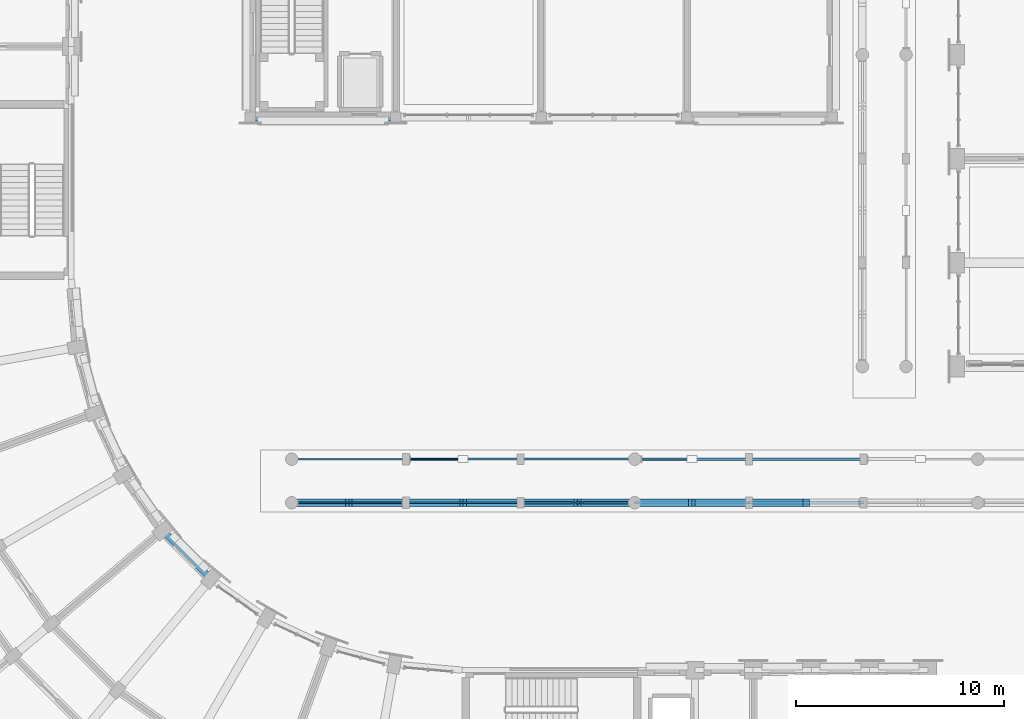
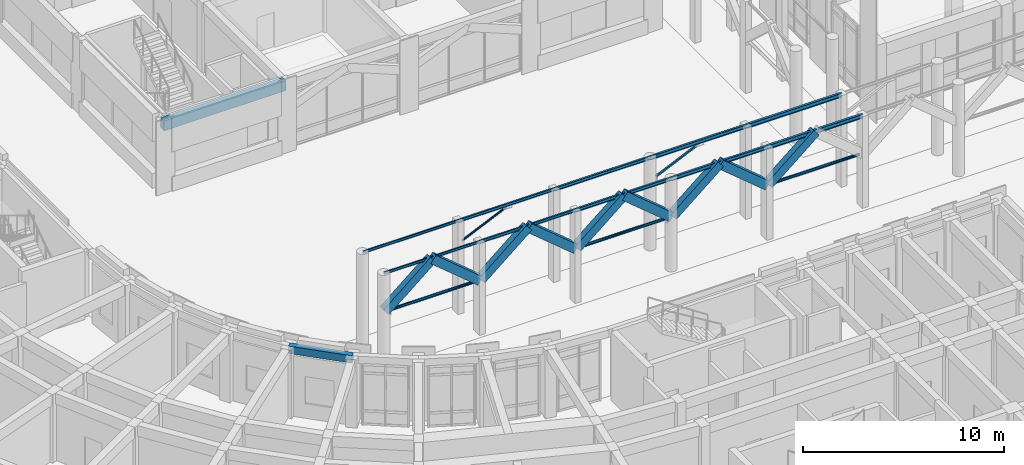
# One storey, part 22 of 135: 21 beams, 5 members.
"""IFC4 building model written with IfcOpenShell, lengths in metres."""

from ifc_helpers import new_model, si_unit, direction, frame, origin, origin_2d, place, context, subcontext, project, spatial, rectangle, hollow_rectangle, hollow_circle, i_section, extrude, material, material_profile, profile_set, type_object, element, save


model = new_model("IFC4")

# Units and contexts
model_context = context("Model", 3, precision=1e-05, world=origin(), true_north=direction((0.0, 1.0)))
body_context = subcontext(model_context, "Body", "Model", "MODEL_VIEW")
ifc_project = project(units=[si_unit("LENGTHUNIT", "METRE"), si_unit("AREAUNIT", "SQUARE_METRE"), si_unit("VOLUMEUNIT", "CUBIC_METRE"), si_unit("PLANEANGLEUNIT", "RADIAN"), si_unit("MASSUNIT", "GRAM", prefix="KILO")], contexts=[model_context])

# Site, building, storey
site_placement = place(None, origin())
site = spatial("IfcSite", under=ifc_project, at=site_placement, CompositionType="ELEMENT")
building_placement = place(site_placement, origin())
building = spatial("IfcBuilding", under=site, at=building_placement, Name="Kiranvali Square Residences", CompositionType="ELEMENT")
storey_placement = place(building_placement, origin())
storey = spatial("IfcBuildingStorey", under=building, at=storey_placement, Name="L00", CompositionType="ELEMENT", Elevation=0.0)

# Beams
ifc_material_1 = material(Name="Concrete M40 (40 MPa)", Category="concrete")
ifc_material_profile_1 = material_profile(ifc_material_1, rectangle(XDim=0.35009765625, YDim=0.5, at=origin_2d()), Name="RC 350x500")
ifc_profile_set_1 = profile_set([ifc_material_profile_1], Name="Concrete M40 (40 MPa)")
beam_type_1 = type_object("IfcBeamType", Name="AR-M40-350x500", PredefinedType="USERDEFINED", material=ifc_profile_set_1)
for number, where, z_axis, x_axis, name in (
    (1, (40.0400390625, 37.449951171875, 3.199951171875), (0.767983039395, 0.0, 0.640470179791), (0.0, 1.0, 0.0), "Classical pointed Ottoman arch rib ARCH-ARC-GDN-S-01.1"),
    (2, (42.75, 37.449951171875, 5.4599609375), (0.767983039395, 0.0, -0.640470179791), (0.0, 1.0, 0.0), "Classical pointed Ottoman arch rib ARCH-ARC-GDN-S-01.2"),
    (3, (45.5400390625, 37.449951171875, 3.199951171875), (0.767983039395, 0.0, 0.640470179791), (0.0, 1.0, 0.0), "Classical pointed Ottoman arch rib ARCH-ARC-GDN-S-02.1"),
    (4, (48.25, 37.449951171875, 5.4599609375), (0.767983039395, 0.0, -0.640470179791), (0.0, 1.0, 0.0), "Classical pointed Ottoman arch rib ARCH-ARC-GDN-S-02.2"),
    (5, (51.0400390625, 37.449951171875, 3.199951171875), (0.767983039395, 0.0, 0.640470179791), (0.0, 1.0, 0.0), "Classical pointed Ottoman arch rib ARCH-ARC-GDN-S-03.1"),
    (6, (53.75, 37.449951171875, 5.4599609375), (0.767983039395, 0.0, -0.640470179791), (0.0, 1.0, 0.0), "Classical pointed Ottoman arch rib ARCH-ARC-GDN-S-03.2"),
    (7, (56.5400390625, 37.449951171875, 3.199951171875), (0.767983039395, 0.0, 0.640470179791), (0.0, 1.0, 0.0), "Classical pointed Ottoman arch rib ARCH-ARC-GDN-S-04.1"),
    (8, (59.25, 37.449951171875, 5.4599609375), (0.767983039395, 0.0, -0.640470179791), (0.0, 1.0, 0.0), "Classical pointed Ottoman arch rib ARCH-ARC-GDN-S-04.2"),
    (9, (62.0400390625, 37.449951171875, 3.199951171875), (0.767983039395, 0.0, 0.640470179791), (0.0, 1.0, 0.0), "Classical pointed Ottoman arch rib ARCH-ARC-GDN-S-05.1"),
):
    element("IfcBeam", number, at=place(storey_placement, frame(where, z_axis=z_axis, x_axis=x_axis)), inside=storey, type_object=beam_type_1, Name=name, ObjectType="ARCH RIB", PredefinedType="USERDEFINED", context=body_context, shape_type="SweptSolid", body=[
        extrude(rectangle(XDim=0.35009765625, YDim=0.5, at=origin_2d()), origin(), (0.0, 0.0, 1.0), 3.528564453125),
    ])
ifc_material_profile_2 = material_profile(ifc_material_1, rectangle(XDim=0.35009765625, YDim=0.60009765625, at=origin_2d()), Name="RC 350x600")
ifc_profile_set_2 = profile_set([ifc_material_profile_2], Name="Concrete M40 (40 MPa)")
beam_type_2 = type_object("IfcBeamType", Name="BM-M40-350x600", PredefinedType="BEAM", material=ifc_profile_set_2)
beam_1_placement = place(storey_placement, frame((38.0, 56.0, 3.97998046875), z_axis=(1.0, 0.0, 0.0), x_axis=(0.0, 1.0, 0.0)))
element("IfcBeam", 10, at=beam_1_placement, inside=storey, type_object=beam_type_2, Name="L00 beam BM-NR-L00-X0-0", PredefinedType="BEAM", context=body_context, shape_type="SweptSolid", body=[
    extrude(rectangle(XDim=0.35009765625, YDim=0.60009765625, at=origin_2d()), origin(), (0.0, 0.0, 1.0), 7.0),
])

# Members
ifc_material_2 = material(Name="Structural steel E350", Category="steel")
ifc_material_profile_3 = material_profile(ifc_material_2, hollow_circle(Radius=0.05712890625, WallThickness=0.00537109375, at=origin_2d()), Name="CHS 114.3x5.4")
ifc_profile_set_3 = profile_set([ifc_material_profile_3], Name="Structural steel E350")
member_type_1 = type_object("IfcMemberType", Name="MEM-CHS114", PredefinedType="BRACE", material=ifc_profile_set_3)
member_1_placement = place(storey_placement, frame((45.7109375, 39.550048828125, 4.199951171875), z_axis=(0.911034283541, 0.0, 0.412330612753), x_axis=(0.0, 1.0, 0.0)))
element("IfcMember", 11, at=member_1_placement, inside=storey, type_object=member_type_1, Name="Colonnade steel knee brace ARC-GDN-S-2", PredefinedType="BRACE", context=body_context, shape_type="SweptSolid", body=[
    extrude(hollow_circle(Radius=0.05712890625, WallThickness=0.00537109375, at=origin_2d()), origin(), (0.0, 0.0, 1.0), 2.787109375),
])
ifc_material_profile_4 = material_profile(ifc_material_2, hollow_circle(Radius=0.08251953125, WallThickness=0.00537109375, at=origin_2d()), Name="CHS 165.1x5.4")
ifc_profile_set_4 = profile_set([ifc_material_profile_4], Name="Structural steel E350")
member_type_2 = type_object("IfcMemberType", Name="MEM-CHS165", PredefinedType="USERDEFINED", material=ifc_profile_set_4)
for number, where, z_axis, x_axis, name in (
    (12, (40.323974609375, 37.449951171875, 3.14990234375), (1.0, 0.0, 0.0), (0.0, 1.0, 0.0), "Ottoman arch springing tie rod ARC-GDN-S-1"),
    (13, (51.198974609375, 37.449951171875, 3.14990234375), (1.0, 0.0, 0.0), (0.0, 1.0, 0.0), "Ottoman arch springing tie rod ARC-GDN-S-3"),
):
    element("IfcMember", number, at=place(storey_placement, frame(where, z_axis=z_axis, x_axis=x_axis)), inside=storey, type_object=member_type_2, Name=name, ObjectType="TIE ROD", PredefinedType="USERDEFINED", context=body_context, shape_type="SweptSolid", body=[
        extrude(hollow_circle(Radius=0.08251953125, WallThickness=0.00537109375, at=origin_2d()), origin(), (0.0, 0.0, 1.0), 4.97705078125),
    ])
member_2_placement = place(storey_placement, frame((62.198974609375, 37.449951171875, 3.14990234375), z_axis=(1.0, 0.0, 0.0), x_axis=(0.0, 1.0, 0.0)))
element("IfcMember", 14, at=member_2_placement, inside=storey, type_object=member_type_2, Name="Ottoman arch springing tie rod ARC-GDN-S-5", ObjectType="TIE ROD", PredefinedType="USERDEFINED", context=body_context, shape_type="SweptSolid", body=[
    extrude(hollow_circle(Radius=0.08251953125, WallThickness=0.00537109375, at=origin_2d()), origin(), (0.0, 0.0, 1.0), 5.10205078125),
])
ifc_material_profile_5 = material_profile(ifc_material_2, hollow_rectangle(XDim=0.091552734375, YDim=0.091552734375, WallThickness=0.00439453125, at=origin_2d()), Name="SHS 91.5x91.5x4.5")
ifc_profile_set_5 = profile_set([ifc_material_profile_5], Name="Structural steel E350")
member_type_3 = type_object("IfcMemberType", Name="MEM-SHS91", PredefinedType="BRACE", material=ifc_profile_set_5)
member_3_placement = place(storey_placement, frame((56.8359375, 39.550048828125, 4.199951171875), z_axis=(0.910107826744, 0.0, 0.41437150445), x_axis=(0.0, 1.0, 0.0)))
element("IfcMember", 15, at=member_3_placement, inside=storey, type_object=member_type_3, Name="Colonnade steel knee brace ARC-GDN-S-4", PredefinedType="BRACE", context=body_context, shape_type="SweptSolid", body=[
    extrude(hollow_rectangle(XDim=0.091552734375, YDim=0.091552734375, WallThickness=0.00439453125, at=origin_2d()), origin(), (0.0, 0.0, 1.0), 2.652587890625),
])

# Beams
ifc_material_profile_6 = material_profile(ifc_material_2, i_section(OverallWidth=0.074951171875, OverallDepth=0.14990234375, WebThickness=0.0048828125, FlangeThickness=0.008056640625, at=origin_2d()), Name="ISMB 150")
ifc_profile_set_6 = profile_set([ifc_material_profile_6], Name="Structural steel E350")
beam_type_3 = type_object("IfcBeamType", Name="SBM-ISMB150", PredefinedType="JOIST", material=ifc_profile_set_6)
for number, where, z_axis, x_axis, name in (
    (16, (40.0, 37.449951171875, 5.485107421875), (1.0, 0.0, 0.0), (0.0, 1.0, 0.0), "Colonnade entablature steel beam ARC-GDN-S-1"),
    (17, (40.0, 39.550048828125, 5.485107421875), (1.0, 0.0, 0.0), (0.0, 1.0, 0.0), "Colonnade inner entablature steel beam ARC-GDN-S-1B"),
):
    element("IfcBeam", number, at=place(storey_placement, frame(where, z_axis=z_axis, x_axis=x_axis)), inside=storey, type_object=beam_type_3, Name=name, PredefinedType="JOIST", context=body_context, shape_type="SweptSolid", body=[
        extrude(i_section(OverallWidth=0.074951171875, OverallDepth=0.14990234375, WebThickness=0.0048828125, FlangeThickness=0.008056640625, at=origin_2d()), origin(), (0.0, 0.0, 1.0), 5.5),
    ])
ifc_material_profile_7 = material_profile(ifc_material_2, i_section(OverallWidth=0.0849609375, OverallDepth=0.175048828125, WebThickness=0.005859375, FlangeThickness=0.009033203125, at=origin_2d()), Name="ISMB 175")
ifc_profile_set_7 = profile_set([ifc_material_profile_7], Name="Structural steel E350")
beam_type_4 = type_object("IfcBeamType", Name="SBM-ISMB175", PredefinedType="JOIST", material=ifc_profile_set_7)
for number, where, z_axis, x_axis, name in (
    (18, (45.5, 37.449951171875, 5.472412109375), (1.0, 0.0, 0.0), (0.0, 1.0, 0.0), "Colonnade entablature steel beam ARC-GDN-S-2"),
    (19, (45.5, 39.550048828125, 5.472412109375), (1.0, 0.0, 0.0), (0.0, 1.0, 0.0), "Colonnade inner entablature steel beam ARC-GDN-S-2B"),
):
    element("IfcBeam", number, at=place(storey_placement, frame(where, z_axis=z_axis, x_axis=x_axis)), inside=storey, type_object=beam_type_4, Name=name, PredefinedType="JOIST", context=body_context, shape_type="SweptSolid", body=[
        extrude(i_section(OverallWidth=0.0849609375, OverallDepth=0.175048828125, WebThickness=0.005859375, FlangeThickness=0.009033203125, at=origin_2d()), origin(), (0.0, 0.0, 1.0), 5.5),
    ])
ifc_material_profile_8 = material_profile(ifc_material_2, i_section(OverallWidth=0.10009765625, OverallDepth=0.199951171875, WebThickness=0.005615234375, FlangeThickness=0.0107421875, at=origin_2d()), Name="ISMB 200")
ifc_profile_set_8 = profile_set([ifc_material_profile_8], Name="Structural steel E350")
beam_type_5 = type_object("IfcBeamType", Name="SBM-ISMB200", PredefinedType="JOIST", material=ifc_profile_set_8)
for number, where, z_axis, x_axis, name in (
    (20, (51.0, 37.449951171875, 5.4599609375), (1.0, 0.0, 0.0), (0.0, 1.0, 0.0), "Colonnade entablature steel beam ARC-GDN-S-3"),
    (21, (51.0, 39.550048828125, 5.4599609375), (1.0, 0.0, 0.0), (0.0, 1.0, 0.0), "Colonnade inner entablature steel beam ARC-GDN-S-3B"),
):
    element("IfcBeam", number, at=place(storey_placement, frame(where, z_axis=z_axis, x_axis=x_axis)), inside=storey, type_object=beam_type_5, Name=name, PredefinedType="JOIST", context=body_context, shape_type="SweptSolid", body=[
        extrude(i_section(OverallWidth=0.10009765625, OverallDepth=0.199951171875, WebThickness=0.005615234375, FlangeThickness=0.0107421875, at=origin_2d()), origin(), (0.0, 0.0, 1.0), 5.5),
    ])
ifc_material_profile_9 = material_profile(ifc_material_2, i_section(OverallWidth=0.110107421875, OverallDepth=0.22509765625, WebThickness=0.006591796875, FlangeThickness=0.01171875, at=origin_2d()), Name="ISMB 225")
ifc_profile_set_9 = profile_set([ifc_material_profile_9], Name="Structural steel E350")
beam_type_6 = type_object("IfcBeamType", Name="SBM-ISMB225", PredefinedType="JOIST", material=ifc_profile_set_9)
for number, where, z_axis, x_axis, name in (
    (22, (56.5, 37.449951171875, 5.447509765625), (1.0, 0.0, 0.0), (0.0, 1.0, 0.0), "Colonnade entablature steel beam ARC-GDN-S-4"),
    (23, (56.5, 39.550048828125, 5.447509765625), (1.0, 0.0, 0.0), (0.0, 1.0, 0.0), "Colonnade inner entablature steel beam ARC-GDN-S-4B"),
):
    element("IfcBeam", number, at=place(storey_placement, frame(where, z_axis=z_axis, x_axis=x_axis)), inside=storey, type_object=beam_type_6, Name=name, PredefinedType="JOIST", context=body_context, shape_type="SweptSolid", body=[
        extrude(i_section(OverallWidth=0.110107421875, OverallDepth=0.22509765625, WebThickness=0.006591796875, FlangeThickness=0.01171875, at=origin_2d()), origin(), (0.0, 0.0, 1.0), 5.5),
    ])
ifc_material_profile_10 = material_profile(ifc_material_2, i_section(OverallWidth=0.125, OverallDepth=0.25, WebThickness=0.0068359375, FlangeThickness=0.012451171875, at=origin_2d()), Name="ISMB 250")
ifc_profile_set_10 = profile_set([ifc_material_profile_10], Name="Structural steel E350")
beam_type_7 = type_object("IfcBeamType", Name="SBM-ISMB250", PredefinedType="JOIST", material=ifc_profile_set_10)
for number, where, z_axis, x_axis, name in (
    (24, (62.0, 37.449951171875, 5.43505859375), (1.0, 0.0, 0.0), (0.0, 1.0, 0.0), "Colonnade entablature steel beam ARC-GDN-S-5"),
    (25, (62.0, 39.550048828125, 5.43505859375), (1.0, 0.0, 0.0), (0.0, 1.0, 0.0), "Colonnade inner entablature steel beam ARC-GDN-S-5B"),
):
    element("IfcBeam", number, at=place(storey_placement, frame(where, z_axis=z_axis, x_axis=x_axis)), inside=storey, type_object=beam_type_7, Name=name, PredefinedType="JOIST", context=body_context, shape_type="SweptSolid", body=[
        extrude(i_section(OverallWidth=0.125, OverallDepth=0.25, WebThickness=0.0068359375, FlangeThickness=0.012451171875, at=origin_2d()), origin(), (0.0, 0.0, 1.0), 5.5),
    ])
ifc_material_profile_11 = material_profile(ifc_material_1, rectangle(XDim=0.300048828125, YDim=0.449951171875, at=origin_2d()), Name="RC 300x450")
ifc_profile_set_11 = profile_set([ifc_material_profile_11], Name="Concrete M40 (40 MPa)")
beam_type_8 = type_object("IfcBeamType", Name="SPN-M40-300x450", PredefinedType="SPANDREL", material=ifc_profile_set_11)
beam_2_placement = place(storey_placement, frame((36.115478515625, 33.79833984375, 3.925048828125), z_axis=(-0.707106781187, 0.707106781187, 0.0), x_axis=(-0.707106781187, -0.707106781187, 0.0)))
element("IfcBeam", 26, at=beam_2_placement, inside=storey, type_object=beam_type_8, Name="L00 beam BM-C-L00-C04-R0", PredefinedType="SPANDREL", context=body_context, shape_type="SweptSolid", body=[
    extrude(rectangle(XDim=0.300048828125, YDim=0.449951171875, at=origin_2d()), origin(), (0.0, 0.0, 1.0), 3.27685546875),
])

save(model, "model.ifc")
